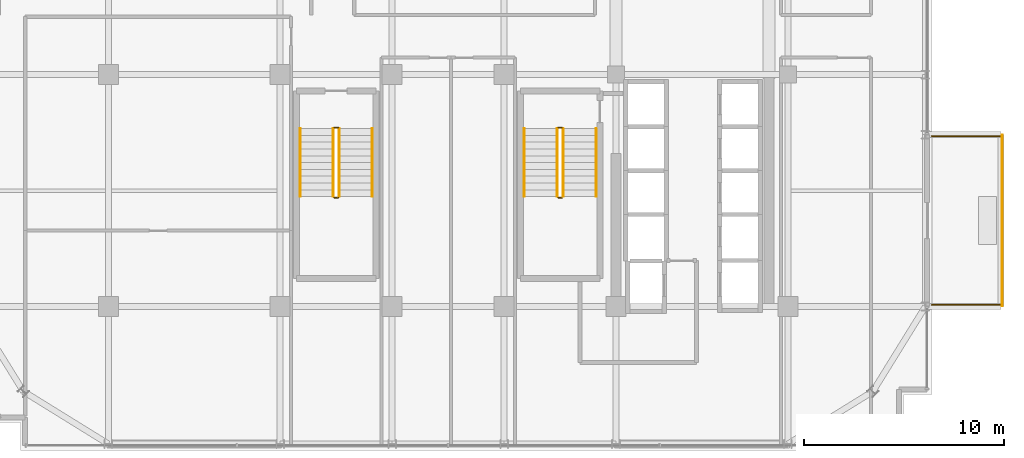
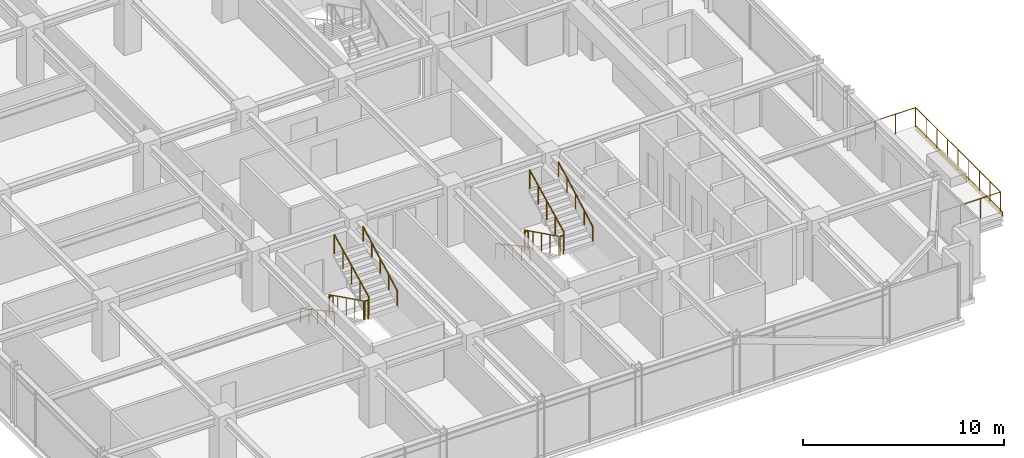
# One storey, part 40 of 42: 13 railings, 1 covering.
"""IFC4 building model written with IfcOpenShell, lengths in metres."""

from ifc_helpers import new_model, si_unit, direction, frame, origin, origin_2d, place, context, subcontext, project, spatial, rectangle, circle, extrude, source, transform, mapped, material, layer, layer_set, type_object, element, save


model = new_model("IFC4")

# Units and contexts
model_context = context("Model", 3, precision=1e-05, world=origin(), true_north=direction((0.0, 1.0)))
body_context = subcontext(model_context, "Body", "Model", "MODEL_VIEW")
ifc_project = project(units=[si_unit("LENGTHUNIT", "METRE"), si_unit("AREAUNIT", "SQUARE_METRE"), si_unit("VOLUMEUNIT", "CUBIC_METRE"), si_unit("PLANEANGLEUNIT", "RADIAN"), si_unit("MASSUNIT", "GRAM", prefix="KILO")], contexts=[model_context])

# Site, building, storey
site_placement = place(None, origin())
site = spatial("IfcSite", under=ifc_project, at=site_placement, CompositionType="ELEMENT")
building_placement = place(site_placement, origin())
building = spatial("IfcBuilding", under=site, at=building_placement, Name="Nahalor Promenade Grand Hotel", CompositionType="ELEMENT")
storey_placement = place(building_placement, frame((0.0, 0.0, 249.300048828125)))
storey = spatial("IfcBuildingStorey", under=building, at=storey_placement, Name="L64", CompositionType="ELEMENT", Elevation=249.300048828125)

# Railings
ifc_material_1 = material(Name="Anodised Bronze Aluminium EN AW-6063 T6", Category="aluminium")
railing_type_1 = type_object("IfcRailingType", Name="Bronze Balcony Guardrail 1200 mm", PredefinedType="GUARDRAIL", material=ifc_material_1)
railing_1_placement = place(storey_placement, frame((24.199951171875, -16.919921875, 0.0)))
element("IfcRailing", 1, at=railing_1_placement, inside=storey, type_object=railing_type_1, Name="L64 Balcony Guardrail 2", PredefinedType="GUARDRAIL", context=body_context, shape_type="SweptSolid", body=[
    extrude(circle(Radius=0.024048, at=origin_2d()), frame((0.0, 0.0, 1.17578125), z_axis=(1.0, 0.0, 0.0), x_axis=(0.0, 1.0, 0.0)), (0.0, 0.0, 1.0), 3.4580078125),
    extrude(circle(Radius=0.024048, at=origin_2d()), frame((3.4599609375, 0.001953125, 1.17578125), z_axis=(0.0, 1.0, 0.0), x_axis=(-1.0, 0.0, 0.0)), (0.0, 0.0, 1.0), 8.43603515625),
    extrude(circle(Radius=0.024048, at=origin_2d()), frame((3.4580078125, 8.43994140625, 1.17578125), z_axis=(-1.0, 0.0, 0.0), x_axis=(0.0, -1.0, 0.0)), (0.0, 0.0, 1.0), 3.4580078125),
    extrude(circle(Radius=0.020996, at=origin_2d()), origin(), (0.0, 0.0, 1.0), 1.14990234375),
    extrude(circle(Radius=0.020996, at=origin_2d()), frame((1.1533203125, 0.0, 0.0)), (0.0, 0.0, 1.0), 1.14990234375),
    extrude(circle(Radius=0.020996, at=origin_2d()), frame((2.306640625, 0.0, 0.0)), (0.0, 0.0, 1.0), 1.14990234375),
    extrude(circle(Radius=0.020996, at=origin_2d()), frame((3.4599609375, 0.0, 0.0)), (0.0, 0.0, 1.0), 1.14990234375),
    extrude(circle(Radius=0.020996, at=origin_2d()), frame((3.4599609375, 1.054931640625, 0.0)), (0.0, 0.0, 1.0), 1.14990234375),
    extrude(circle(Radius=0.020996, at=origin_2d()), frame((3.4599609375, 2.10986328125, 0.0)), (0.0, 0.0, 1.0), 1.14990234375),
    extrude(circle(Radius=0.020996, at=origin_2d()), frame((3.4599609375, 3.1650390625, 0.0)), (0.0, 0.0, 1.0), 1.14990234375),
    extrude(circle(Radius=0.020996, at=origin_2d()), frame((3.4599609375, 4.219970703125, 0.0)), (0.0, 0.0, 1.0), 1.14990234375),
    extrude(circle(Radius=0.020996, at=origin_2d()), frame((3.4599609375, 5.27490234375, 0.0)), (0.0, 0.0, 1.0), 1.14990234375),
    extrude(circle(Radius=0.020996, at=origin_2d()), frame((3.4599609375, 6.330078125, 0.0)), (0.0, 0.0, 1.0), 1.14990234375),
    extrude(circle(Radius=0.020996, at=origin_2d()), frame((3.4599609375, 7.385009765625, 0.0)), (0.0, 0.0, 1.0), 1.14990234375),
    extrude(circle(Radius=0.020996, at=origin_2d()), frame((3.4599609375, 8.43994140625, 0.0)), (0.0, 0.0, 1.0), 1.14990234375),
    extrude(circle(Radius=0.020996, at=origin_2d()), frame((2.306640625, 8.43994140625, 0.0)), (0.0, 0.0, 1.0), 1.14990234375),
    extrude(circle(Radius=0.020996, at=origin_2d()), frame((1.1533203125, 8.43994140625, 0.0)), (0.0, 0.0, 1.0), 1.14990234375),
    extrude(circle(Radius=0.020996, at=origin_2d()), frame((0.0, 8.43994140625, 0.0)), (0.0, 0.0, 1.0), 1.14990234375),
])
ifc_material_2 = material(Name="Steel S355JR", Category="steel")
railing_type_2 = type_object("IfcRailingType", Name="Steel Stair Guardrail 1150 mm", PredefinedType="GUARDRAIL", material=ifc_material_2)
railing_2_placement = place(storey_placement, frame((5.449951171875, -8.10009765625, 0.168212890625)))
element("IfcRailing", 2, at=railing_2_placement, inside=storey, type_object=railing_type_2, Name="L64 ST2 stair guard 1", PredefinedType="GUARDRAIL", context=body_context, shape_type="SweptSolid", body=[
    extrude(circle(Radius=0.024048, at=origin_2d()), frame((0.0, 0.0, 1.1259765625), z_axis=(0.0, -0.896349809652, 0.44334751464), x_axis=(1.0, 0.0, 0.0)), (0.0, 0.0, 1.0), 3.79296875),
    extrude(circle(Radius=0.020996, at=origin_2d()), origin(), (0.0, 0.0, 1.0), 1.099853515625),
    extrude(circle(Radius=0.020996, at=origin_2d()), frame((0.0, -0.85009765625, 0.42041015625)), (0.0, 0.0, 1.0), 1.099853515625),
    extrude(circle(Radius=0.020996, at=origin_2d()), frame((0.0, -1.699951171875, 0.8408203125)), (0.0, 0.0, 1.0), 1.099853515625),
    extrude(circle(Radius=0.020996, at=origin_2d()), frame((0.0, -2.5498046875, 1.26123046875)), (0.0, 0.0, 1.0), 1.099853515625),
    extrude(circle(Radius=0.020996, at=origin_2d()), frame((0.0, -3.39990234375, 1.681640625)), (0.0, 0.0, 1.0), 1.099853515625),
])
railing_3_placement = place(storey_placement, frame((5.5, -11.550048828125, 1.849853515625)))
element("IfcRailing", 3, at=railing_3_placement, inside=storey, type_object=railing_type_2, Name="L64 ST2 stair guard 2", PredefinedType="GUARDRAIL", context=body_context, shape_type="SweptSolid", body=[
    extrude(circle(Radius=0.024048, at=origin_2d()), frame((0.0, 0.0, 1.1259765625), z_axis=(1.0, 0.0, 0.0), x_axis=(0.0, 1.0, 0.0)), (0.0, 0.0, 1.0), 0.199951171875),
    extrude(circle(Radius=0.020996, at=origin_2d()), origin(), (0.0, 0.0, 1.0), 1.099853515625),
    extrude(circle(Radius=0.020996, at=origin_2d()), frame((0.199951171875, 0.0, 0.0)), (0.0, 0.0, 1.0), 1.099853515625),
])
railing_4_placement = place(storey_placement, frame((5.75, -11.5, 2.01806640625)))
element("IfcRailing", 4, at=railing_4_placement, inside=storey, type_object=railing_type_2, Name="L64 ST2 stair guard 3", PredefinedType="GUARDRAIL", context=body_context, shape_type="SweptSolid", body=[
    extrude(circle(Radius=0.024048, at=origin_2d()), frame((0.0, 0.0, 1.1259765625), z_axis=(0.0, 0.896324230515, 0.443399226197), x_axis=(-1.0, 0.0, 0.0)), (0.0, 0.0, 1.0), 3.793212890625),
    extrude(circle(Radius=0.020996, at=origin_2d()), origin(), (0.0, 0.0, 1.0), 1.099853515625),
    extrude(circle(Radius=0.020996, at=origin_2d()), frame((0.0, 0.85009765625, 0.42041015625)), (0.0, 0.0, 1.0), 1.099853515625),
    extrude(circle(Radius=0.020996, at=origin_2d()), frame((0.0, 1.699951171875, 0.8408203125)), (0.0, 0.0, 1.0), 1.099853515625),
    extrude(circle(Radius=0.020996, at=origin_2d()), frame((0.0, 2.5498046875, 1.261474609375)), (0.0, 0.0, 1.0), 1.099853515625),
    extrude(circle(Radius=0.020996, at=origin_2d()), frame((0.0, 3.39990234375, 1.681884765625)), (0.0, 0.0, 1.0), 1.099853515625),
])
railing_5_placement = place(storey_placement, frame((5.5, -8.050048828125, 0.0)))
element("IfcRailing", 5, at=railing_5_placement, inside=storey, type_object=railing_type_2, Name="L64 ST2 stair guard 4", PredefinedType="GUARDRAIL", context=body_context, shape_type="SweptSolid", body=[
    extrude(circle(Radius=0.024048, at=origin_2d()), frame((0.0, 0.0, 1.1259765625), z_axis=(1.0, 0.0, 0.0), x_axis=(0.0, 1.0, 0.0)), (0.0, 0.0, 1.0), 0.199951171875),
    extrude(circle(Radius=0.020996, at=origin_2d()), origin(), (0.0, 0.0, 1.0), 1.099853515625),
    extrude(circle(Radius=0.020996, at=origin_2d()), frame((0.199951171875, 0.0, 0.0)), (0.0, 0.0, 1.0), 1.099853515625),
])
railing_6_placement = place(storey_placement, frame((-5.75, -8.10009765625, 0.168212890625)))
element("IfcRailing", 6, at=railing_6_placement, inside=storey, type_object=railing_type_2, Name="L64 ST3 stair guard 1", PredefinedType="GUARDRAIL", context=body_context, shape_type="SweptSolid", body=[
    extrude(circle(Radius=0.024048, at=origin_2d()), frame((0.0, 0.0, 1.1259765625), z_axis=(0.0, -0.896349809652, 0.44334751464), x_axis=(1.0, 0.0, 0.0)), (0.0, 0.0, 1.0), 3.79296875),
    extrude(circle(Radius=0.020996, at=origin_2d()), origin(), (0.0, 0.0, 1.0), 1.099853515625),
    extrude(circle(Radius=0.020996, at=origin_2d()), frame((0.0, -0.85009765625, 0.42041015625)), (0.0, 0.0, 1.0), 1.099853515625),
    extrude(circle(Radius=0.020996, at=origin_2d()), frame((0.0, -1.699951171875, 0.8408203125)), (0.0, 0.0, 1.0), 1.099853515625),
    extrude(circle(Radius=0.020996, at=origin_2d()), frame((0.0, -2.5498046875, 1.26123046875)), (0.0, 0.0, 1.0), 1.099853515625),
    extrude(circle(Radius=0.020996, at=origin_2d()), frame((0.0, -3.39990234375, 1.681640625)), (0.0, 0.0, 1.0), 1.099853515625),
])
railing_7_placement = place(storey_placement, frame((-5.699951171875, -11.550048828125, 1.849853515625)))
element("IfcRailing", 7, at=railing_7_placement, inside=storey, type_object=railing_type_2, Name="L64 ST3 stair guard 2", PredefinedType="GUARDRAIL", context=body_context, shape_type="SweptSolid", body=[
    extrude(circle(Radius=0.024048, at=origin_2d()), frame((0.0, 0.0, 1.1259765625), z_axis=(1.0, 0.0, 0.0), x_axis=(0.0, 1.0, 0.0)), (0.0, 0.0, 1.0), 0.199951171875),
    extrude(circle(Radius=0.020996, at=origin_2d()), origin(), (0.0, 0.0, 1.0), 1.099853515625),
    extrude(circle(Radius=0.020996, at=origin_2d()), frame((0.199951171875, 0.0, 0.0)), (0.0, 0.0, 1.0), 1.099853515625),
])
railing_8_placement = place(storey_placement, frame((-5.449951171875, -11.5, 2.01806640625)))
element("IfcRailing", 8, at=railing_8_placement, inside=storey, type_object=railing_type_2, Name="L64 ST3 stair guard 3", PredefinedType="GUARDRAIL", context=body_context, shape_type="SweptSolid", body=[
    extrude(circle(Radius=0.024048, at=origin_2d()), frame((0.0, 0.0, 1.1259765625), z_axis=(0.0, 0.896324230515, 0.443399226197), x_axis=(-1.0, 0.0, 0.0)), (0.0, 0.0, 1.0), 3.793212890625),
    extrude(circle(Radius=0.020996, at=origin_2d()), origin(), (0.0, 0.0, 1.0), 1.099853515625),
    extrude(circle(Radius=0.020996, at=origin_2d()), frame((0.0, 0.85009765625, 0.42041015625)), (0.0, 0.0, 1.0), 1.099853515625),
    extrude(circle(Radius=0.020996, at=origin_2d()), frame((0.0, 1.699951171875, 0.8408203125)), (0.0, 0.0, 1.0), 1.099853515625),
    extrude(circle(Radius=0.020996, at=origin_2d()), frame((0.0, 2.5498046875, 1.261474609375)), (0.0, 0.0, 1.0), 1.099853515625),
    extrude(circle(Radius=0.020996, at=origin_2d()), frame((0.0, 3.39990234375, 1.681884765625)), (0.0, 0.0, 1.0), 1.099853515625),
])
railing_9_placement = place(storey_placement, frame((-5.699951171875, -8.050048828125, 0.0)))
element("IfcRailing", 9, at=railing_9_placement, inside=storey, type_object=railing_type_2, Name="L64 ST3 stair guard 4", PredefinedType="GUARDRAIL", context=body_context, shape_type="SweptSolid", body=[
    extrude(circle(Radius=0.024048, at=origin_2d()), frame((0.0, 0.0, 1.1259765625), z_axis=(1.0, 0.0, 0.0), x_axis=(0.0, 1.0, 0.0)), (0.0, 0.0, 1.0), 0.199951171875),
    extrude(circle(Radius=0.020996, at=origin_2d()), origin(), (0.0, 0.0, 1.0), 1.099853515625),
    extrude(circle(Radius=0.020996, at=origin_2d()), frame((0.199951171875, 0.0, 0.0)), (0.0, 0.0, 1.0), 1.099853515625),
])
railing_type_3 = type_object("IfcRailingType", Name="Steel Stair Handrail 900 mm", PredefinedType="HANDRAIL", material=ifc_material_2)
railing_10_placement = place(storey_placement, frame((3.800048828125, -8.10009765625, 0.168212890625)))
element("IfcRailing", 10, at=railing_10_placement, inside=storey, type_object=railing_type_3, Name="L64 ST2 stair handrail 1", PredefinedType="HANDRAIL", context=body_context, shape_type="SweptSolid", body=[
    extrude(circle(Radius=0.024048, at=origin_2d()), frame((0.0, 0.0, 0.8759765625), z_axis=(0.0, -0.878398892953, 0.47792822145), x_axis=(1.0, 0.0, 0.0)), (0.0, 0.0, 1.0), 3.87060546875),
    extrude(circle(Radius=0.020996, at=origin_2d()), origin(), (0.0, 0.0, 1.0), 0.849853515625),
    extrude(circle(Radius=0.020996, at=origin_2d()), frame((0.0, -0.85009765625, 0.46240234375)), (0.0, 0.0, 1.0), 0.849853515625),
    extrude(circle(Radius=0.020996, at=origin_2d()), frame((0.0, -1.699951171875, 0.9248046875)), (0.0, 0.0, 1.0), 0.849853515625),
    extrude(circle(Radius=0.020996, at=origin_2d()), frame((0.0, -2.5498046875, 1.387451171875)), (0.0, 0.0, 1.0), 0.849853515625),
    extrude(circle(Radius=0.020996, at=origin_2d()), frame((0.0, -3.39990234375, 1.849853515625)), (0.0, 0.0, 1.0), 0.849853515625),
])
railing_11_placement = place(storey_placement, frame((7.39990234375, -11.5, 2.01806640625)))
element("IfcRailing", 11, at=railing_11_placement, inside=storey, type_object=railing_type_3, Name="L64 ST2 stair handrail 2", PredefinedType="HANDRAIL", context=body_context, shape_type="SweptSolid", body=[
    extrude(circle(Radius=0.024048, at=origin_2d()), frame((0.0, 0.0, 0.8759765625), z_axis=(0.0, 0.87837241229, 0.47797688786), x_axis=(-1.0, 0.0, 0.0)), (0.0, 0.0, 1.0), 3.87060546875),
    extrude(circle(Radius=0.020996, at=origin_2d()), origin(), (0.0, 0.0, 1.0), 0.849853515625),
    extrude(circle(Radius=0.020996, at=origin_2d()), frame((0.0, 0.85009765625, 0.46240234375)), (0.0, 0.0, 1.0), 0.849853515625),
    extrude(circle(Radius=0.020996, at=origin_2d()), frame((0.0, 1.699951171875, 0.925048828125)), (0.0, 0.0, 1.0), 0.849853515625),
    extrude(circle(Radius=0.020996, at=origin_2d()), frame((0.0, 2.5498046875, 1.3876953125)), (0.0, 0.0, 1.0), 0.849853515625),
    extrude(circle(Radius=0.020996, at=origin_2d()), frame((0.0, 3.39990234375, 1.85009765625)), (0.0, 0.0, 1.0), 0.849853515625),
])
railing_12_placement = place(storey_placement, frame((-7.39990234375, -8.10009765625, 0.168212890625)))
element("IfcRailing", 12, at=railing_12_placement, inside=storey, type_object=railing_type_3, Name="L64 ST3 stair handrail 1", PredefinedType="HANDRAIL", context=body_context, shape_type="SweptSolid", body=[
    extrude(circle(Radius=0.024048, at=origin_2d()), frame((0.0, 0.0, 0.8759765625), z_axis=(0.0, -0.878398892953, 0.47792822145), x_axis=(1.0, 0.0, 0.0)), (0.0, 0.0, 1.0), 3.87060546875),
    extrude(circle(Radius=0.020996, at=origin_2d()), origin(), (0.0, 0.0, 1.0), 0.849853515625),
    extrude(circle(Radius=0.020996, at=origin_2d()), frame((0.0, -0.85009765625, 0.46240234375)), (0.0, 0.0, 1.0), 0.849853515625),
    extrude(circle(Radius=0.020996, at=origin_2d()), frame((0.0, -1.699951171875, 0.9248046875)), (0.0, 0.0, 1.0), 0.849853515625),
    extrude(circle(Radius=0.020996, at=origin_2d()), frame((0.0, -2.5498046875, 1.387451171875)), (0.0, 0.0, 1.0), 0.849853515625),
    extrude(circle(Radius=0.020996, at=origin_2d()), frame((0.0, -3.39990234375, 1.849853515625)), (0.0, 0.0, 1.0), 0.849853515625),
])
railing_13_placement = place(storey_placement, frame((-3.800048828125, -11.5, 2.01806640625)))
element("IfcRailing", 13, at=railing_13_placement, inside=storey, type_object=railing_type_3, Name="L64 ST3 stair handrail 2", PredefinedType="HANDRAIL", context=body_context, shape_type="SweptSolid", body=[
    extrude(circle(Radius=0.024048, at=origin_2d()), frame((0.0, 0.0, 0.8759765625), z_axis=(0.0, 0.87837241229, 0.47797688786), x_axis=(-1.0, 0.0, 0.0)), (0.0, 0.0, 1.0), 3.87060546875),
    extrude(circle(Radius=0.020996, at=origin_2d()), origin(), (0.0, 0.0, 1.0), 0.849853515625),
    extrude(circle(Radius=0.020996, at=origin_2d()), frame((0.0, 0.85009765625, 0.46240234375)), (0.0, 0.0, 1.0), 0.849853515625),
    extrude(circle(Radius=0.020996, at=origin_2d()), frame((0.0, 1.699951171875, 0.925048828125)), (0.0, 0.0, 1.0), 0.849853515625),
    extrude(circle(Radius=0.020996, at=origin_2d()), frame((0.0, 2.5498046875, 1.3876953125)), (0.0, 0.0, 1.0), 0.849853515625),
    extrude(circle(Radius=0.020996, at=origin_2d()), frame((0.0, 3.39990234375, 1.85009765625)), (0.0, 0.0, 1.0), 0.849853515625),
])

# Covering
ifc_layer = layer(ifc_material_1, 0.0400390625)
ifc_layer_set = layer_set([ifc_layer], Name="Anodised Bronze Aluminium EN AW-6063 T6")
covering_type = type_object("IfcCoveringType", Name="Bronze Spandrel Cladding Panel", PredefinedType="CLADDING", material=ifc_layer_set)
shared_shape = source(origin(), body_context, "Body", "SweptSolid", [
    extrude(rectangle(XDim=8.60009765625, YDim=0.0400390625, at=origin_2d()), origin(), (0.0, 0.0, 1.0), 0.280029296875),
])
covering_placement = place(storey_placement, frame((27.719970703125, -12.699951171875, -0.2802734375), z_axis=(0.0, 0.0, 1.0), x_axis=(0.0, 1.0, 0.0)))
element("IfcCovering", 14, at=covering_placement, inside=storey, type_object=covering_type, Name="CL-L64-BALC-02", PredefinedType="CLADDING", context=body_context, shape_type="MappedRepresentation", body=[
    mapped(shared_shape, transform((0.0, 0.0, 0.0), scale=1.0)),
])

save(model, "model.ifc")
